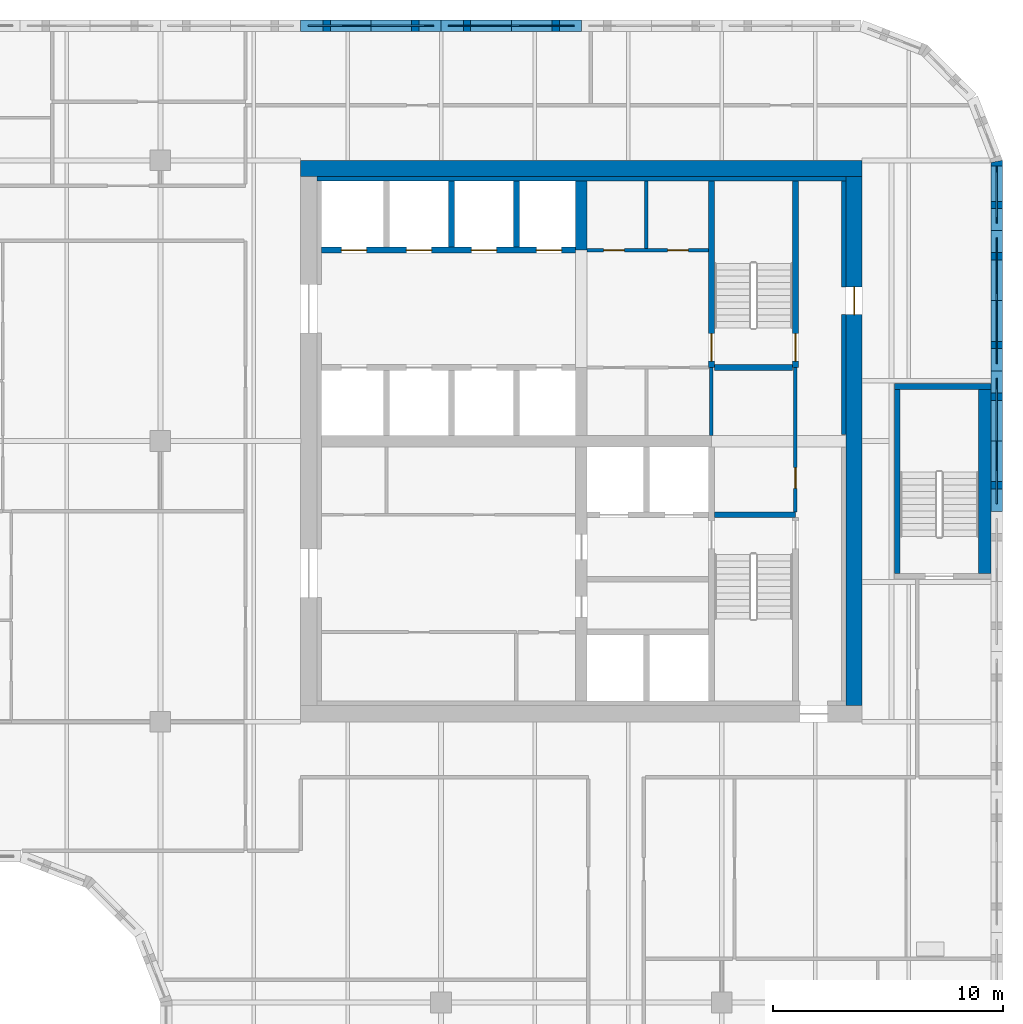
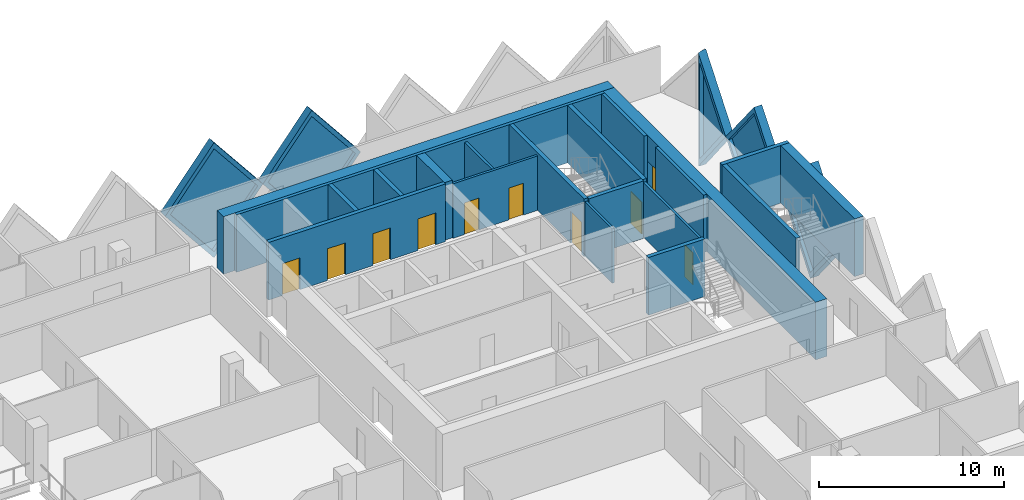
# One storey, part 9 of 13: 25 walls, 10 doors, 5 plates, 15 openings.
"""IFC4 building model written with IfcOpenShell, lengths in metres."""

from ifc_helpers import new_model, si_unit, direction, frame, frame_2d, origin, place, context, subcontext, project, spatial, polyline, rectangle, outline, extrude, faceted_brep, source, transform, mapped, material, layer, layer_set, type_object, element, fill, save


model = new_model("IFC4")

# Units and contexts
model_context = context("Model", 3, precision=1e-05, world=origin(), true_north=direction((0.0, 1.0)))
body_context = subcontext(model_context, "Body", "Model", "MODEL_VIEW")
ifc_project = project(units=[si_unit("LENGTHUNIT", "METRE"), si_unit("AREAUNIT", "SQUARE_METRE"), si_unit("VOLUMEUNIT", "CUBIC_METRE"), si_unit("PLANEANGLEUNIT", "RADIAN"), si_unit("MASSUNIT", "GRAM", prefix="KILO")], contexts=[model_context])

# Site, building, storey
site_placement = place(None, origin())
site = spatial("IfcSite", under=ifc_project, at=site_placement, CompositionType="ELEMENT")
building_placement = place(site_placement, origin())
building = spatial("IfcBuilding", under=site, at=building_placement, Name="Tessera Gate Towers", CompositionType="ELEMENT")
storey_placement = place(building_placement, frame((0.0, 0.0, 131.60009765625)))
storey = spatial("IfcBuildingStorey", under=building, at=storey_placement, Name="L32", CompositionType="ELEMENT", Elevation=131.60009765625)

# Wall, openings, doors
ifc_material_1 = material(Name="Concrete C40/50", Category="concrete")
ifc_layer_1 = layer(ifc_material_1, 0.25)
ifc_layer_set_1 = layer_set([ifc_layer_1], Name="CORE ENCLOSURE WALL 250")
wall_type_1 = type_object("IfcWallType", Name="CORE ENCLOSURE WALL 250", PredefinedType="SOLIDWALL", material=ifc_layer_set_1)
wall_1_placement = place(storey_placement, frame((42.449951171875, 44.89990234375, 0.0), z_axis=(0.0, 0.0, 1.0), x_axis=(-1.0, 0.0, 0.0)))
wall_1 = element("IfcWall", 1, at=wall_1_placement, inside=storey, type_object=wall_type_1, Name="L32 shaft and stair enclosure wall", PredefinedType="SOLIDWALL", context=body_context, shape_type="SweptSolid", body=[
    extrude(rectangle(XDim=11.050048828125, YDim=0.25, at=frame_2d((5.52490234375, 0.0))), origin(), (0.0, 0.0, 1.0), 3.7998046875),
])
shared_shape_1 = source(origin(), body_context, "Body", "SweptSolid", [
    extrude(rectangle(XDim=1.10009765625, YDim=2.10009765625, at=frame_2d((0.550048828125, 1.050048828125))), frame((0.0, 0.135009765625, 0.0), z_axis=(0.0, -1.0, 0.0), x_axis=(1.0, 0.0, 0.0)), (0.0, 0.0, 1.0), 0.27001953125),
])
opening_1_placement = place(wall_1_placement, frame((9.08740234375, 0.0, 0.0)))
opening_1 = element("IfcOpeningElement", 2, at=opening_1_placement, cuts=wall_1, Name="Opening LD-HR5", PredefinedType="OPENING", context=body_context, shape_type="MappedRepresentation", body=[
    mapped(shared_shape_1, transform((0.0, 0.0, 0.0), scale=1.0)),
])
opening_2_placement = place(wall_1_placement, frame((6.262451171875, 0.0, 0.0)))
opening_2 = element("IfcOpeningElement", 3, at=opening_2_placement, cuts=wall_1, Name="Opening LD-HR6", PredefinedType="OPENING", context=body_context, shape_type="MappedRepresentation", body=[
    mapped(shared_shape_1, transform((0.0, 0.0, 0.0), scale=1.0)),
])
opening_3_placement = place(wall_1_placement, frame((3.4375, 0.0, 0.0)))
opening_3 = element("IfcOpeningElement", 4, at=opening_3_placement, cuts=wall_1, Name="Opening LD-HR7", PredefinedType="OPENING", context=body_context, shape_type="MappedRepresentation", body=[
    mapped(shared_shape_1, transform((0.0, 0.0, 0.0), scale=1.0)),
])
opening_4_placement = place(wall_1_placement, frame((0.612548828125, 0.0, 0.0)))
opening_4 = element("IfcOpeningElement", 5, at=opening_4_placement, cuts=wall_1, Name="Opening LD-HR8", PredefinedType="OPENING", context=body_context, shape_type="MappedRepresentation", body=[
    mapped(shared_shape_1, transform((0.0, 0.0, 0.0), scale=1.0)),
])
ifc_material_2 = material(Name="Stainless steel", Category="steel")
door_type_1 = type_object("IfcDoorType", Name="CORE DOOR LD 1100x2100", OperationType="DOUBLE_DOOR_SLIDING", PredefinedType="DOOR", material=ifc_material_2)
shared_shape_2 = source(origin(), body_context, "Body", "SweptSolid", [
    extrude(rectangle(XDim=1.10009765625, YDim=2.10009765625, at=frame_2d((0.550048828125, 1.050048828125))), frame((0.0, 0.02490234375, 0.0), z_axis=(0.0, -1.0, 0.0), x_axis=(1.0, 0.0, 0.0)), (0.0, 0.0, 1.0), 0.050048828125),
])
door_1_placement = place(opening_1_placement, origin())
door_1 = element("IfcDoor", 6, at=door_1_placement, inside=storey, type_object=door_type_1, Name="Landing door HR5 L32", OperationType="DOUBLE_DOOR_SLIDING", OverallHeight=2.10009765625, OverallWidth=1.10009765625, PredefinedType="DOOR", context=body_context, shape_type="MappedRepresentation", body=[
    mapped(shared_shape_2, transform((0.0, 0.0, 0.0), scale=1.0)),
])
fill(opening_1, door_1)
door_2_placement = place(opening_2_placement, origin())
door_2 = element("IfcDoor", 7, at=door_2_placement, inside=storey, type_object=door_type_1, Name="Landing door HR6 L32", OperationType="DOUBLE_DOOR_SLIDING", OverallHeight=2.10009765625, OverallWidth=1.10009765625, PredefinedType="DOOR", context=body_context, shape_type="MappedRepresentation", body=[
    mapped(shared_shape_2, transform((0.0, 0.0, 0.0), scale=1.0)),
])
fill(opening_2, door_2)
door_3_placement = place(opening_3_placement, origin())
door_3 = element("IfcDoor", 8, at=door_3_placement, inside=storey, type_object=door_type_1, Name="Landing door HR7 L32", OperationType="DOUBLE_DOOR_SLIDING", OverallHeight=2.10009765625, OverallWidth=1.10009765625, PredefinedType="DOOR", context=body_context, shape_type="MappedRepresentation", body=[
    mapped(shared_shape_2, transform((0.0, 0.0, 0.0), scale=1.0)),
])
fill(opening_3, door_3)
door_4_placement = place(opening_4_placement, origin())
door_4 = element("IfcDoor", 9, at=door_4_placement, inside=storey, type_object=door_type_1, Name="Landing door HR8 L32", OperationType="DOUBLE_DOOR_SLIDING", OverallHeight=2.10009765625, OverallWidth=1.10009765625, PredefinedType="DOOR", context=body_context, shape_type="MappedRepresentation", body=[
    mapped(shared_shape_2, transform((0.0, 0.0, 0.0), scale=1.0)),
])
fill(opening_4, door_4)

# Wall
wall_2_placement = place(storey_placement, frame((48.47509765625, 33.39990234375, 0.0), z_axis=(0.0, 0.0, 1.0), x_axis=(1.0, 0.0, 0.0)))
element("IfcWall", 10, at=wall_2_placement, inside=storey, type_object=wall_type_1, Name="L32 shaft and stair enclosure wall", PredefinedType="SOLIDWALL", context=body_context, shape_type="SweptSolid", body=[
    extrude(rectangle(XDim=3.52490234375, YDim=0.25, at=frame_2d((1.762451171875, 0.0))), origin(), (0.0, 0.0, 1.0), 3.7998046875),
])

# Wall, opening, door
wall_3_placement = place(storey_placement, frame((48.35009765625, 47.89990234375, 0.0), z_axis=(0.0, 0.0, 1.0), x_axis=(0.0, -1.0, 0.0)))
wall_3 = element("IfcWall", 11, at=wall_3_placement, inside=storey, type_object=wall_type_1, Name="L32 shaft and stair enclosure wall", PredefinedType="SOLIDWALL", context=body_context, shape_type="SweptSolid", body=[
    extrude(rectangle(XDim=8.099853515625, YDim=0.25, at=frame_2d((4.0498046875, 0.0))), origin(), (0.0, 0.0, 1.0), 3.7998046875),
])
shared_shape_3 = source(origin(), body_context, "Body", "SweptSolid", [
    extrude(rectangle(XDim=1.199951171875, YDim=2.10009765625, at=frame_2d((0.60009765625, 1.050048828125))), frame((0.0, 0.135009765625, 0.0), z_axis=(0.0, -1.0, 0.0), x_axis=(1.0, 0.0, 0.0)), (0.0, 0.0, 1.0), 0.27001953125),
])
opening_5_placement = place(wall_3_placement, frame((6.625, 0.0, 0.0)))
opening_5 = element("IfcOpeningElement", 12, at=opening_5_placement, cuts=wall_3, Name="Opening SD-ST2-1", PredefinedType="OPENING", context=body_context, shape_type="MappedRepresentation", body=[
    mapped(shared_shape_3, transform((0.0, 0.0, 0.0), scale=1.0)),
])
ifc_material_3 = material(Name="Hollow steel fire door", Category="steel")
door_type_2 = type_object("IfcDoorType", Name="CORE DOOR SD 1200x2100", OperationType="NOTDEFINED", PredefinedType="DOOR", material=ifc_material_3)
shared_shape_4 = source(origin(), body_context, "Body", "SweptSolid", [
    extrude(rectangle(XDim=1.199951171875, YDim=2.10009765625, at=frame_2d((0.60009765625, 1.050048828125))), frame((0.0, 0.02490234375, 0.0), z_axis=(0.0, -1.0, 0.0), x_axis=(1.0, 0.0, 0.0)), (0.0, 0.0, 1.0), 0.050048828125),
])
door_5_placement = place(opening_5_placement, origin())
door_5 = element("IfcDoor", 13, at=door_5_placement, inside=storey, type_object=door_type_2, Name="Stair door", OperationType="SINGLE_SWING_RIGHT", OverallHeight=2.10009765625, OverallWidth=1.199951171875, PredefinedType="DOOR", context=body_context, shape_type="MappedRepresentation", body=[
    mapped(shared_shape_4, transform((0.0, 0.0, 0.0), scale=1.0)),
])
fill(opening_5, door_5)

wall_4_placement = place(storey_placement, frame((52.0, 39.800048828125, 0.0), z_axis=(0.0, 0.0, 1.0), x_axis=(0.0, 1.0, 0.0)))
wall_4 = element("IfcWall", 14, at=wall_4_placement, inside=storey, type_object=wall_type_1, Name="L32 shaft and stair enclosure wall", PredefinedType="SOLIDWALL", context=body_context, shape_type="SweptSolid", body=[
    extrude(rectangle(XDim=8.099853515625, YDim=0.25, at=frame_2d((4.0498046875, 0.0))), origin(), (0.0, 0.0, 1.0), 3.7998046875),
])
opening_6_placement = place(wall_4_placement, frame((0.27490234375, 0.0, 0.0)))
opening_6 = element("IfcOpeningElement", 15, at=opening_6_placement, cuts=wall_4, Name="Opening SD-ST2-2", PredefinedType="OPENING", context=body_context, shape_type="MappedRepresentation", body=[
    mapped(shared_shape_3, transform((0.0, 0.0, 0.0), scale=1.0)),
])
door_6_placement = place(opening_6_placement, origin())
door_6 = element("IfcDoor", 16, at=door_6_placement, inside=storey, type_object=door_type_2, Name="Stair door", OperationType="SINGLE_SWING_LEFT", OverallHeight=2.10009765625, OverallWidth=1.199951171875, PredefinedType="DOOR", context=body_context, shape_type="MappedRepresentation", body=[
    mapped(shared_shape_4, transform((0.0, 0.0, 0.0), scale=1.0)),
])
fill(opening_6, door_6)

# Walls
wall_5_placement = place(storey_placement, frame((48.47509765625, 39.800048828125, 0.0), z_axis=(0.0, 0.0, 1.0), x_axis=(1.0, 0.0, 0.0)))
element("IfcWall", 17, at=wall_5_placement, inside=storey, type_object=wall_type_1, Name="L32 shaft and stair enclosure wall", PredefinedType="SOLIDWALL", context=body_context, shape_type="SweptSolid", body=[
    extrude(rectangle(XDim=3.39990234375, YDim=0.25, at=frame_2d((1.699951171875, 0.0))), origin(), (0.0, 0.0, 1.0), 3.7998046875),
])
for number, where, z_axis, x_axis, name in (
    (18, (37.050048828125, 45.02490234375, 0.0), (0.0, 0.0, 1.0), (0.0, 1.0, 0.0), "L32 shaft and stair enclosure wall"),
    (19, (39.875, 45.02490234375, 0.0), (0.0, 0.0, 1.0), (0.0, 1.0, 0.0), "L32 shaft and stair enclosure wall"),
):
    element("IfcWall", number, at=place(storey_placement, frame(where, z_axis=z_axis, x_axis=x_axis)), inside=storey, type_object=wall_type_1, Name=name, PredefinedType="SOLIDWALL", context=body_context, shape_type="SweptSolid", body=[
        extrude(rectangle(XDim=2.875, YDim=0.25, at=frame_2d((1.4375, 0.0))), origin(), (0.0, 0.0, 1.0), 3.7998046875),
    ])
wall_6_placement = place(storey_placement, frame((56.425048828125, 30.85009765625, 0.0), z_axis=(0.0, 0.0, 1.0), x_axis=(0.0, 1.0, 0.0)))
element("IfcWall", 20, at=wall_6_placement, inside=storey, type_object=wall_type_1, Name="L32 ST5 enclosure wall", PredefinedType="SOLIDWALL", context=body_context, shape_type="SweptSolid", body=[
    extrude(rectangle(XDim=8.0, YDim=0.25, at=frame_2d((4.0, 0.0))), origin(), (0.0, 0.0, 1.0), 3.7998046875),
])
wall_7_placement = place(storey_placement, frame((56.300048828125, 38.97509765625, 0.0), z_axis=(0.0, 0.0, 1.0), x_axis=(1.0, 0.0, 0.0)))
element("IfcWall", 21, at=wall_7_placement, inside=storey, type_object=wall_type_1, Name="L32 ST5 enclosure wall", PredefinedType="SOLIDWALL", context=body_context, shape_type="SweptSolid", body=[
    extrude(rectangle(XDim=4.199951171875, YDim=0.25, at=frame_2d((2.10009765625, 0.0))), origin(), (0.0, 0.0, 1.0), 3.7998046875),
])
ifc_material_4 = material(Name="Concrete C40/50", Category="concrete")
ifc_layer_2 = layer(ifc_material_4, 0.550048828125)
ifc_layer_set_2 = layer_set([ifc_layer_2], Name="CORE ENCLOSURE WALL 550")
wall_type_2 = type_object("IfcWallType", Name="CORE ENCLOSURE WALL 550", PredefinedType="SOLIDWALL", material=ifc_layer_set_2)
wall_8_placement = place(storey_placement, frame((60.22509765625, 38.85009765625, 0.0), z_axis=(0.0, 0.0, 1.0), x_axis=(0.0, -1.0, 0.0)))
element("IfcWall", 22, at=wall_8_placement, inside=storey, type_object=wall_type_2, Name="L32 ST5 enclosure wall", PredefinedType="SOLIDWALL", context=body_context, shape_type="SweptSolid", body=[
    extrude(rectangle(XDim=8.0, YDim=0.550048828125, at=frame_2d((4.0, 0.0))), origin(), (0.0, 0.0, 1.0), 3.7998046875),
])
ifc_material_5 = material(Name="Concrete C60/75", Category="concrete")
ifc_layer_3 = layer(ifc_material_5, 0.699951171875)
ifc_layer_set_3 = layer_set([ifc_layer_3], Name="CORE SHEAR WALL 700 C60/75")
wall_type_3 = type_object("IfcWallType", Name="CORE SHEAR WALL 700 C60/75", PredefinedType="SHEAR", material=ifc_layer_set_3)
wall_9_placement = place(storey_placement, frame((30.5, 48.449951171875, 0.0), z_axis=(0.0, 0.0, 1.0), x_axis=(1.0, 0.0, 0.0)))
element("IfcWall", 23, at=wall_9_placement, inside=storey, type_object=wall_type_3, Name="Core wall N L32", PredefinedType="SHEAR", context=body_context, shape_type="SweptSolid", body=[
    extrude(rectangle(XDim=24.39990234375, YDim=0.699951171875, at=frame_2d((12.199951171875, 0.0))), origin(), (0.0, 0.0, 1.0), 3.7998046875),
])

# Wall, opening, door
wall_10_placement = place(storey_placement, frame((54.550048828125, 48.10009765625, 0.0), z_axis=(0.0, 0.0, 1.0), x_axis=(0.0, -1.0, 0.0)))
wall_10 = element("IfcWall", 24, at=wall_10_placement, inside=storey, type_object=wall_type_3, Name="Core wall E L32", PredefinedType="SHEAR", context=body_context, shape_type="SweptSolid", body=[
    extrude(rectangle(XDim=23.0, YDim=0.699951171875, at=frame_2d((11.5, 0.0))), origin(), (0.0, 0.0, 1.0), 3.7998046875),
])
shared_shape_5 = source(origin(), body_context, "Body", "SweptSolid", [
    extrude(rectangle(XDim=1.199951171875, YDim=2.10009765625, at=frame_2d((0.60009765625, 1.050048828125))), frame((0.0, 0.35986328125, 0.0), z_axis=(0.0, -1.0, 0.0), x_axis=(1.0, 0.0, 0.0)), (0.0, 0.0, 1.0), 0.719970703125),
])
opening_7_placement = place(wall_10_placement, frame((4.800048828125, 0.0, 0.0)))
opening_7 = element("IfcOpeningElement", 25, at=opening_7_placement, cuts=wall_10, Name="Opening ED-T1-22-04", PredefinedType="OPENING", context=body_context, shape_type="MappedRepresentation", body=[
    mapped(shared_shape_5, transform((0.0, 0.0, 0.0), scale=1.0)),
])
ifc_material_6 = material(Name="Hollow steel fire door", Category="steel")
door_type_3 = type_object("IfcDoorType", Name="CORE DOOR ED 1200x2100", OperationType="NOTDEFINED", PredefinedType="DOOR", material=ifc_material_6)
door_7_placement = place(opening_7_placement, origin())
door_7 = element("IfcDoor", 26, at=door_7_placement, inside=storey, type_object=door_type_3, Name="Core exit door", OperationType="SINGLE_SWING_LEFT", OverallHeight=2.10009765625, OverallWidth=1.199951171875, PredefinedType="DOOR", context=body_context, shape_type="MappedRepresentation", body=[
    mapped(shared_shape_4, transform((0.0, 0.0, 0.0), scale=1.0)),
])
fill(opening_7, door_7)

# Walls
ifc_material_7 = material(Name="Concrete C60/75", Category="concrete")
ifc_layer_4 = layer(ifc_material_7, 0.5)
ifc_layer_set_4 = layer_set([ifc_layer_4], Name="CORE SPINE WALL 500 C60/75")
wall_type_4 = type_object("IfcWallType", Name="CORE SPINE WALL 500 C60/75", PredefinedType="SHEAR", material=ifc_layer_set_4)
wall_11_placement = place(storey_placement, frame((42.699951171875, 44.89990234375, 0.0), z_axis=(0.0, 0.0, 1.0), x_axis=(0.0, 1.0, 0.0)))
element("IfcWall", 27, at=wall_11_placement, inside=storey, type_object=wall_type_4, Name="Core wall spine L32", PredefinedType="SHEAR", context=body_context, shape_type="SweptSolid", body=[
    extrude(rectangle(XDim=3.0, YDim=0.5, at=frame_2d((1.5, 0.0))), origin(), (0.0, 0.0, 1.0), 3.7998046875),
])
ifc_material_8 = material(Name="Concrete C60/75", Category="concrete")
ifc_layer_5 = layer(ifc_material_8, 0.199951171875)
ifc_layer_set_5 = layer_set([ifc_layer_5], Name="CORE WALL THICKENING 200")
wall_type_5 = type_object("IfcWallType", Name="CORE WALL THICKENING 200", PredefinedType="SOLIDWALL", material=ifc_layer_set_5)
wall_12_placement = place(storey_placement, frame((31.199951171875, 48.0, 0.0), z_axis=(0.0, 0.0, 1.0), x_axis=(1.0, 0.0, 0.0)))
element("IfcWall", 28, at=wall_12_placement, inside=storey, type_object=wall_type_5, Name="Core wall thickening N L32", PredefinedType="SOLIDWALL", context=body_context, shape_type="SweptSolid", body=[
    extrude(rectangle(XDim=23.0, YDim=0.199951171875, at=frame_2d((11.5, 0.0))), origin(), (0.0, 0.0, 1.0), 3.7998046875),
])
wall_13_placement = place(storey_placement, frame((54.10009765625, 36.8798828125, 0.0), z_axis=(0.0, 0.0, 1.0), x_axis=(0.0, 1.0, 0.0)))
element("IfcWall", 29, at=wall_13_placement, inside=storey, type_object=wall_type_5, Name="Core wall thickening E L32", PredefinedType="SOLIDWALL", context=body_context, shape_type="SweptSolid", body=[
    extrude(rectangle(XDim=5.22021484375, YDim=0.199951171875, at=frame_2d((2.610107421875, 0.0))), origin(), (0.0, 0.0, 1.0), 3.7998046875),
])
wall_14_placement = place(storey_placement, frame((54.10009765625, 43.300048828125, 0.0), z_axis=(0.0, 0.0, 1.0), x_axis=(0.0, 1.0, 0.0)))
element("IfcWall", 30, at=wall_14_placement, inside=storey, type_object=wall_type_5, Name="Core wall thickening E L32", PredefinedType="SOLIDWALL", context=body_context, shape_type="SweptSolid", body=[
    extrude(rectangle(XDim=4.599853515625, YDim=0.199951171875, at=frame_2d((2.2998046875, 0.0))), origin(), (0.0, 0.0, 1.0), 3.7998046875),
])

# Wall, opening, door
ifc_material_9 = material(Name="Gypsum board on steel studs", Category="steel")
ifc_layer_6 = layer(ifc_material_9, 0.14990234375)
ifc_layer_set_6 = layer_set([ifc_layer_6], Name="SERVICE ROOM WALL 150")
wall_type_6 = type_object("IfcWallType", Name="SERVICE ROOM WALL 150", PredefinedType="PARTITIONING", material=ifc_layer_set_6)
wall_15_placement = place(storey_placement, frame((52.0, 33.52490234375, 0.0), z_axis=(0.0, 0.0, 1.0), x_axis=(0.0, 1.0, 0.0)))
wall_15 = element("IfcWall", 31, at=wall_15_placement, inside=storey, type_object=wall_type_6, Name="L32 service room wall", PredefinedType="PARTITIONING", context=body_context, shape_type="SweptSolid", body=[
    extrude(rectangle(XDim=6.275146484375, YDim=0.14990234375, at=frame_2d((3.1376953125, 0.0))), origin(), (0.0, 0.0, 1.0), 3.599853515625),
])
shared_shape_6 = source(origin(), body_context, "Body", "SweptSolid", [
    extrude(rectangle(XDim=0.89990234375, YDim=2.10009765625, at=frame_2d((0.449951171875, 1.050048828125))), frame((0.0, 0.0849609375, 0.0), z_axis=(0.0, -1.0, 0.0), x_axis=(1.0, 0.0, 0.0)), (0.0, 0.0, 1.0), 0.169921875),
])
opening_8_placement = place(wall_15_placement, frame((1.02490234375, 0.0, 0.0)))
opening_8 = element("IfcOpeningElement", 32, at=opening_8_placement, cuts=wall_15, Name="Opening RD-T1-22-10", PredefinedType="OPENING", context=body_context, shape_type="MappedRepresentation", body=[
    mapped(shared_shape_6, transform((0.0, 0.0, 0.0), scale=1.0)),
])
ifc_material_10 = material(Name="Hollow steel fire door", Category="steel")
door_type_4 = type_object("IfcDoorType", Name="CORE DOOR RD 900x2100", OperationType="NOTDEFINED", PredefinedType="DOOR", material=ifc_material_10)
shared_shape_7 = source(origin(), body_context, "Body", "SweptSolid", [
    extrude(rectangle(XDim=0.89990234375, YDim=2.10009765625, at=frame_2d((0.449951171875, 1.050048828125))), frame((0.0, 0.02490234375, 0.0), z_axis=(0.0, -1.0, 0.0), x_axis=(1.0, 0.0, 0.0)), (0.0, 0.0, 1.0), 0.050048828125),
])
door_8_placement = place(opening_8_placement, origin())
door_8 = element("IfcDoor", 33, at=door_8_placement, inside=storey, type_object=door_type_4, Name="Core room door", OperationType="SINGLE_SWING_LEFT", OverallHeight=2.10009765625, OverallWidth=0.89990234375, PredefinedType="DOOR", context=body_context, shape_type="MappedRepresentation", body=[
    mapped(shared_shape_7, transform((0.0, 0.0, 0.0), scale=1.0)),
])
fill(opening_8, door_8)

# Wall, openings, doors
wall_16_placement = place(storey_placement, frame((42.949951171875, 44.89990234375, 0.0), z_axis=(0.0, 0.0, 1.0), x_axis=(1.0, 0.0, 0.0)))
wall_16 = element("IfcWall", 34, at=wall_16_placement, inside=storey, type_object=wall_type_6, Name="L32 service room wall", PredefinedType="PARTITIONING", context=body_context, shape_type="SweptSolid", body=[
    extrude(rectangle(XDim=5.275146484375, YDim=0.14990234375, at=frame_2d((2.6376953125, 0.0))), origin(), (0.0, 0.0, 1.0), 3.599853515625),
])
opening_9_placement = place(wall_16_placement, frame((0.71240234375, 0.0, 0.0)))
opening_9 = element("IfcOpeningElement", 35, at=opening_9_placement, cuts=wall_16, Name="Opening RD-T1-22-13", PredefinedType="OPENING", context=body_context, shape_type="MappedRepresentation", body=[
    mapped(shared_shape_6, transform((0.0, 0.0, 0.0), scale=1.0)),
])
opening_10_placement = place(wall_16_placement, frame((3.5, 0.0, 0.0)))
opening_10 = element("IfcOpeningElement", 36, at=opening_10_placement, cuts=wall_16, Name="Opening RD-T1-22-14", PredefinedType="OPENING", context=body_context, shape_type="MappedRepresentation", body=[
    mapped(shared_shape_6, transform((0.0, 0.0, 0.0), scale=1.0)),
])
door_9_placement = place(opening_9_placement, origin())
door_9 = element("IfcDoor", 37, at=door_9_placement, inside=storey, type_object=door_type_4, Name="Core room door", OperationType="SINGLE_SWING_LEFT", OverallHeight=2.10009765625, OverallWidth=0.89990234375, PredefinedType="DOOR", context=body_context, shape_type="MappedRepresentation", body=[
    mapped(shared_shape_7, transform((0.0, 0.0, 0.0), scale=1.0)),
])
fill(opening_9, door_9)
door_10_placement = place(opening_10_placement, origin())
door_10 = element("IfcDoor", 38, at=door_10_placement, inside=storey, type_object=door_type_4, Name="Core room door", OperationType="SINGLE_SWING_RIGHT", OverallHeight=2.10009765625, OverallWidth=0.89990234375, PredefinedType="DOOR", context=body_context, shape_type="MappedRepresentation", body=[
    mapped(shared_shape_7, transform((0.0, 0.0, 0.0), scale=1.0)),
])
fill(opening_10, door_10)

# Walls
wall_17_placement = place(storey_placement, frame((48.35009765625, 36.85009765625, 0.0), z_axis=(0.0, 0.0, 1.0), x_axis=(0.0, 1.0, 0.0)))
element("IfcWall", 39, at=wall_17_placement, inside=storey, type_object=wall_type_6, Name="L32 service room wall", PredefinedType="PARTITIONING", context=body_context, shape_type="SweptSolid", body=[
    extrude(rectangle(XDim=2.949951171875, YDim=0.14990234375, at=frame_2d((1.47509765625, 0.0))), origin(), (0.0, 0.0, 1.0), 3.599853515625),
])
wall_18_placement = place(storey_placement, frame((45.52490234375, 44.97509765625, 0.0), z_axis=(0.0, 0.0, 1.0), x_axis=(0.0, 1.0, 0.0)))
element("IfcWall", 40, at=wall_18_placement, inside=storey, type_object=wall_type_6, Name="L32 service room wall", PredefinedType="PARTITIONING", context=body_context, shape_type="SweptSolid", body=[
    extrude(rectangle(XDim=2.9248046875, YDim=0.14990234375, at=frame_2d((1.46240234375, 0.0))), origin(), (0.0, 0.0, 1.0), 3.599853515625),
])

# Wall, opening, plate
ifc_material_11 = material(Name="Precast concrete C60/75 white", Category="concrete")
ifc_layer_7 = layer(ifc_material_11, 0.5)
ifc_layer_set_7 = layer_set([ifc_layer_7], Name="TS1 tessera")
wall_type_7 = type_object("IfcWallType", Name="TS1 tessera", PredefinedType="SOLIDWALL", material=ifc_layer_set_7)
shared_shape_8 = source(origin(), body_context, "Body", "Brep", [
    faceted_brep([(3.050048828125, -0.25, 0.0), (6.099853515625, -0.25, 3.7998046875), (6.099853515625, -0.25, 3.80029296875), (3.050048828125, -0.25, 7.599853515625), (0.0, -0.25, 3.800048828125), (0.0, 0.25, 3.800048828125), (3.050048828125, 0.25, 7.599853515625), (6.099853515625, 0.25, 3.80029296875), (6.099853515625, 0.25, 3.7998046875), (3.050048828125, 0.25, 0.0)], [[[0, 1, 2, 3, 4]], [[5, 6, 7, 8, 9]], [[9, 8, 1, 0]], [[7, 6, 3, 2]], [[6, 5, 4, 3]], [[5, 9, 0, 4]], [[1, 8, 7, 2]]]),
])
wall_19_placement = place(storey_placement, frame((60.75, 33.550048828125, -3.800048828125), z_axis=(0.0, 0.0, 1.0), x_axis=(0.0, 1.0, 0.0)))
wall_19 = element("IfcWall", 41, at=wall_19_placement, inside=storey, type_object=wall_type_7, Name="Precast tessera T1 TS1-0537", PredefinedType="SOLIDWALL", context=body_context, shape_type="MappedRepresentation", body=[
    mapped(shared_shape_8, transform((0.0, 0.0, 0.0), scale=1.0)),
])
shared_shape_9 = source(origin(), body_context, "Body", "SweptSolid", [
    extrude(outline(polyline([(3.050048828125, 0.3994140625), (5.779541015625, 3.800048828125), (3.050048828125, 7.200439453125), (0.320556640625, 3.800048828125), (3.050048828125, 0.3994140625)])), frame((0.0, 0.260009765625, 0.0), z_axis=(0.0, -1.0, 0.0), x_axis=(1.0, 0.0, 0.0)), (0.0, 0.0, 1.0), 0.52001953125),
])
opening_11_placement = place(wall_19_placement, origin())
opening_11 = element("IfcOpeningElement", 42, at=opening_11_placement, cuts=wall_19, Name="Opening T1-PL2-1093", PredefinedType="OPENING", context=body_context, shape_type="MappedRepresentation", body=[
    mapped(shared_shape_9, transform((0.0, 0.0, 0.0), scale=1.0)),
])
ifc_material_12 = material(Name="Low-e laminated glass", Category="glass")
ifc_layer_8 = layer(ifc_material_12, 0.06005859375)
ifc_layer_set_8 = layer_set([ifc_layer_8], Name="PL2 rhombic pane")
plate_type = type_object("IfcPlateType", Name="PL2 rhombic pane", PredefinedType="SHEET", material=ifc_layer_set_8)
shared_shape_10 = source(origin(), body_context, "Body", "SweptSolid", [
    extrude(outline(polyline([(3.050048828125, 0.3994140625), (5.779541015625, 3.800048828125), (3.050048828125, 7.200439453125), (0.320556640625, 3.800048828125), (3.050048828125, 0.3994140625)])), frame((0.0, 0.030029296875, 0.0), z_axis=(0.0, -1.0, 0.0), x_axis=(1.0, 0.0, 0.0)), (0.0, 0.0, 1.0), 0.06005859375),
])
plate_1_placement = place(opening_11_placement, origin())
plate_1 = element("IfcPlate", 43, at=plate_1_placement, inside=storey, type_object=plate_type, Name="Glass pane T1 PL2-1093", PredefinedType="SHEET", context=body_context, shape_type="MappedRepresentation", body=[
    mapped(shared_shape_10, transform((0.0, 0.0, 0.0), scale=1.0)),
])
fill(opening_11, plate_1)

wall_20_placement = place(storey_placement, frame((42.699951171875, 54.64990234375, -3.800048828125), z_axis=(0.0, 0.0, 1.0), x_axis=(-1.0, 0.0, 0.0)))
wall_20 = element("IfcWall", 44, at=wall_20_placement, inside=storey, type_object=wall_type_7, Name="Precast tessera T1 TS1-0541", PredefinedType="SOLIDWALL", context=body_context, shape_type="MappedRepresentation", body=[
    mapped(shared_shape_8, transform((0.0, 0.0, 0.0), scale=1.0)),
])
opening_12_placement = place(wall_20_placement, origin())
opening_12 = element("IfcOpeningElement", 45, at=opening_12_placement, cuts=wall_20, Name="Opening T1-PL2-1101", PredefinedType="OPENING", context=body_context, shape_type="MappedRepresentation", body=[
    mapped(shared_shape_9, transform((0.0, 0.0, 0.0), scale=1.0)),
])
plate_2_placement = place(opening_12_placement, origin())
plate_2 = element("IfcPlate", 46, at=plate_2_placement, inside=storey, type_object=plate_type, Name="Glass pane T1 PL2-1101", PredefinedType="SHEET", context=body_context, shape_type="MappedRepresentation", body=[
    mapped(shared_shape_10, transform((0.0, 0.0, 0.0), scale=1.0)),
])
fill(opening_12, plate_2)

shared_shape_11 = source(origin(), body_context, "Body", "SweptSolid", [
    extrude(outline(polyline([(3.050048828125, 0.0), (6.10009765625, 3.800048828125), (3.050048828125, 7.599853515625), (0.0, 3.800048828125), (3.050048828125, 0.0)])), frame((0.0, 0.25, 0.0), z_axis=(0.0, -1.0, 0.0), x_axis=(1.0, 0.0, 0.0)), (0.0, 0.0, 1.0), 0.5),
])
wall_21_placement = place(storey_placement, frame((60.75, 39.64990234375, -3.800048828125), z_axis=(0.0, 0.0, 1.0), x_axis=(0.0, 1.0, 0.0)))
wall_21 = element("IfcWall", 47, at=wall_21_placement, inside=storey, type_object=wall_type_7, Name="Precast tessera T1 TS1-0538", PredefinedType="SOLIDWALL", context=body_context, shape_type="MappedRepresentation", body=[
    mapped(shared_shape_11, transform((0.0, 0.0, 0.0), scale=1.0)),
])
opening_13_placement = place(wall_21_placement, origin())
opening_13 = element("IfcOpeningElement", 48, at=opening_13_placement, cuts=wall_21, Name="Opening T1-PL2-1094", PredefinedType="OPENING", context=body_context, shape_type="MappedRepresentation", body=[
    mapped(shared_shape_9, transform((0.0, 0.0, 0.0), scale=1.0)),
])
plate_3_placement = place(opening_13_placement, origin())
plate_3 = element("IfcPlate", 49, at=plate_3_placement, inside=storey, type_object=plate_type, Name="Glass pane T1 PL2-1094", PredefinedType="SHEET", context=body_context, shape_type="MappedRepresentation", body=[
    mapped(shared_shape_10, transform((0.0, 0.0, 0.0), scale=1.0)),
])
fill(opening_13, plate_3)

wall_22_placement = place(storey_placement, frame((36.60009765625, 54.64990234375, -3.800048828125), z_axis=(0.0, 0.0, 1.0), x_axis=(-1.0, 0.0, 0.0)))
wall_22 = element("IfcWall", 50, at=wall_22_placement, inside=storey, type_object=wall_type_7, Name="Precast tessera T1 TS1-0542", PredefinedType="SOLIDWALL", context=body_context, shape_type="MappedRepresentation", body=[
    mapped(shared_shape_11, transform((0.0, 0.0, 0.0), scale=1.0)),
])
opening_14_placement = place(wall_22_placement, origin())
opening_14 = element("IfcOpeningElement", 51, at=opening_14_placement, cuts=wall_22, Name="Opening T1-PL2-1102", PredefinedType="OPENING", context=body_context, shape_type="MappedRepresentation", body=[
    mapped(shared_shape_9, transform((0.0, 0.0, 0.0), scale=1.0)),
])
plate_4_placement = place(opening_14_placement, origin())
plate_4 = element("IfcPlate", 52, at=plate_4_placement, inside=storey, type_object=plate_type, Name="Glass pane T1 PL2-1102", PredefinedType="SHEET", context=body_context, shape_type="MappedRepresentation", body=[
    mapped(shared_shape_10, transform((0.0, 0.0, 0.0), scale=1.0)),
])
fill(opening_14, plate_4)

ifc_material_13 = material(Name="Precast concrete C60/75 white", Category="concrete")
ifc_layer_9 = layer(ifc_material_13, 0.5)
ifc_layer_set_9 = layer_set([ifc_layer_9], Name="TS3 corner tessera")
wall_type_8 = type_object("IfcWallType", Name="TS3 corner tessera", PredefinedType="SOLIDWALL", material=ifc_layer_set_9)
shared_shape_12 = source(origin(), body_context, "Body", "Brep", [
    faceted_brep([(3.00341796875, -0.25, 0.0), (3.050048828125, -0.25, 0.06005859375), (3.050048828125, -0.25, 7.539794921875), (3.00341796875, -0.25, 7.599853515625), (0.0, -0.25, 3.800048828125), (0.0, 0.25, 3.800048828125), (2.956787109375, 0.25, 7.541015625), (2.956787109375, 0.25, 0.058837890625), (3.00341796875, 0.000244140625, 0.0), (3.00341796875, 0.000244140625, 7.599853515625)], [[[0, 1, 2, 3, 4]], [[5, 6, 7]], [[1, 0, 8]], [[9, 3, 2]], [[6, 5, 4, 3, 9]], [[5, 7, 8, 0, 4]], [[1, 8, 7, 6, 9, 2]]]),
])
wall_23_placement = place(storey_placement, frame((60.75, 45.75, -3.800048828125), z_axis=(0.0, 0.0, 1.0), x_axis=(0.0, 1.0, 0.0)))
wall_23 = element("IfcWall", 53, at=wall_23_placement, inside=storey, type_object=wall_type_8, Name="Precast corner tessera T1 TS3-0725", PredefinedType="SOLIDWALL", context=body_context, shape_type="MappedRepresentation", body=[
    mapped(shared_shape_12, transform((0.0, 0.0, 0.0), scale=1.0)),
])
shared_shape_13 = source(origin(), body_context, "Body", "SweptSolid", [
    extrude(outline(polyline([(2.803466796875, 6.94384765625), (0.318603515625, 3.800048828125), (2.803466796875, 0.65625), (2.803466796875, 6.94384765625)])), frame((0.0, 0.260009765625, 0.0), z_axis=(0.0, -1.0, 0.0), x_axis=(1.0, 0.0, 0.0)), (0.0, 0.0, 1.0), 0.52001953125),
])
opening_15_placement = place(wall_23_placement, origin())
opening_15 = element("IfcOpeningElement", 54, at=opening_15_placement, cuts=wall_23, Name="Opening T1-PL2-1095", PredefinedType="OPENING", context=body_context, shape_type="MappedRepresentation", body=[
    mapped(shared_shape_13, transform((0.0, 0.0, 0.0), scale=1.0)),
])
shared_shape_14 = source(origin(), body_context, "Body", "SweptSolid", [
    extrude(outline(polyline([(2.803466796875, 6.94384765625), (0.318603515625, 3.800048828125), (2.803466796875, 0.65625), (2.803466796875, 6.94384765625)])), frame((0.0, 0.030029296875, 0.0), z_axis=(0.0, -1.0, 0.0), x_axis=(1.0, 0.0, 0.0)), (0.0, 0.0, 1.0), 0.06005859375),
])
plate_5_placement = place(opening_15_placement, origin())
plate_5 = element("IfcPlate", 55, at=plate_5_placement, inside=storey, type_object=plate_type, Name="Glass pane T1 PL2-1095", PredefinedType="SHEET", context=body_context, shape_type="MappedRepresentation", body=[
    mapped(shared_shape_14, transform((0.0, 0.0, 0.0), scale=1.0)),
])
fill(opening_15, plate_5)

save(model, "model.ifc")
